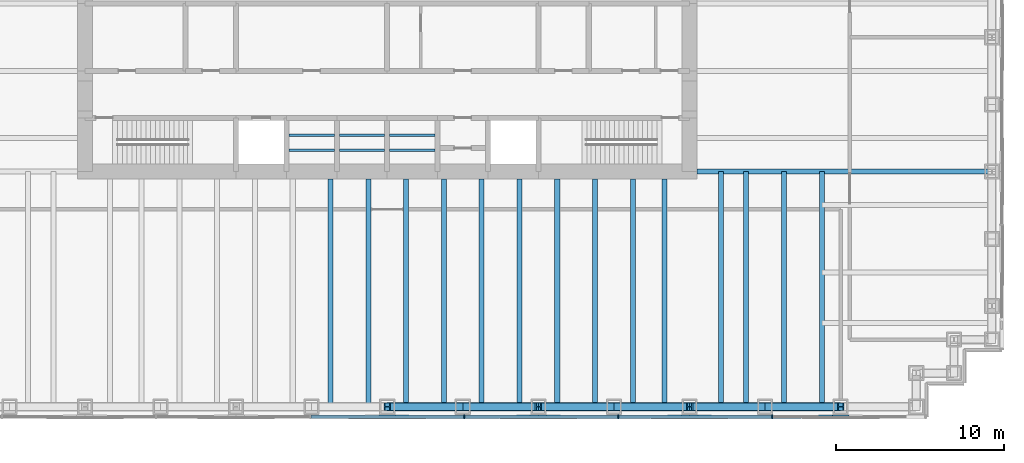
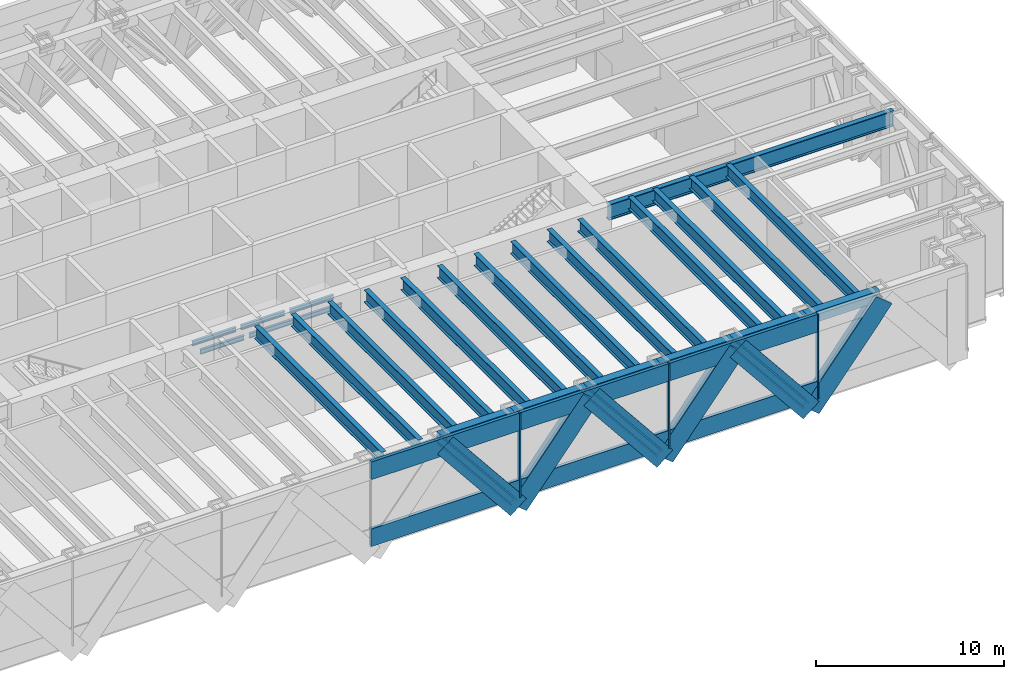
# One storey, part 4 of 16: 27 beams, 21 members, 1 element without a shape of its own.
"""IFC4 building model written with IfcOpenShell, lengths in metres."""

from ifc_helpers import new_model, si_unit, direction, frame, origin, origin_2d, place, context, subcontext, project, spatial, rectangle, hollow_rectangle, i_section, extrude, material, material_profile, profile_set, type_object, element, aggregate, save


model = new_model("IFC4")

# Units and contexts
model_context = context("Model", 3, precision=1e-05, world=origin(), true_north=direction((0.0, 1.0)))
body_context = subcontext(model_context, "Body", "Model", "MODEL_VIEW")
ifc_project = project(units=[si_unit("LENGTHUNIT", "METRE"), si_unit("AREAUNIT", "SQUARE_METRE"), si_unit("VOLUMEUNIT", "CUBIC_METRE"), si_unit("PLANEANGLEUNIT", "RADIAN"), si_unit("MASSUNIT", "GRAM", prefix="KILO")], contexts=[model_context])

# Site, building, storey
site_placement = place(None, origin())
site = spatial("IfcSite", under=ifc_project, at=site_placement, CompositionType="ELEMENT")
building_placement = place(site_placement, origin())
building = spatial("IfcBuilding", under=site, at=building_placement, Name="Rheinbord Bourse Tower", CompositionType="ELEMENT")
storey_placement = place(building_placement, frame((0.0, 0.0, 180.300048828125)))
storey = spatial("IfcBuildingStorey", under=building, at=storey_placement, Name="L40", CompositionType="ELEMENT", Elevation=180.300048828125)

# Beams
ifc_material_1 = material(Name="Steel S460M", Category="steel")
ifc_material_profile_1 = material_profile(ifc_material_1, hollow_rectangle(XDim=0.5, YDim=0.699951171875, WallThickness=0.0400390625, at=origin_2d()), Name="BOX 700x500x40")
ifc_profile_set_1 = profile_set([ifc_material_profile_1], Name="Steel S460M")
beam_type_1 = type_object("IfcBeamType", Name="BELT CHORD BOX 700x500x40", PredefinedType="SPANDREL", material=ifc_profile_set_1)
for number, where, z_axis, x_axis, name in (
    (1, (36.0, 2.0, 4.989990234375), (1.0, 0.0, 0.0), (0.0, 1.0, 0.0), "Spandrel S-36-S-40.5 under L41"),
    (2, (40.5, 2.0, 4.989990234375), (1.0, 0.0, 0.0), (0.0, 1.0, 0.0), "Spandrel S-40.5-S-45 under L41"),
    (3, (45.0, 2.0, 4.989990234375), (1.0, 0.0, 0.0), (0.0, 1.0, 0.0), "Spandrel S-45-S-49.5 under L41"),
    (4, (49.5, 2.0, 4.989990234375), (1.0, 0.0, 0.0), (0.0, 1.0, 0.0), "Spandrel S-49.5-S-54 under L41"),
    (5, (54.0, 2.0, 4.989990234375), (1.0, 0.0, 0.0), (0.0, 1.0, 0.0), "Spandrel S-54-S-58.5 under L41"),
    (6, (58.5, 2.0, 4.989990234375), (1.0, 0.0, 0.0), (0.0, 1.0, 0.0), "Spandrel S-58.5-S-63 under L41"),
):
    element("IfcBeam", number, at=place(storey_placement, frame(where, z_axis=z_axis, x_axis=x_axis)), inside=storey, type_object=beam_type_1, Name=name, PredefinedType="SPANDREL", context=body_context, shape_type="SweptSolid", body=[
        extrude(hollow_rectangle(XDim=0.5, YDim=0.699951171875, WallThickness=0.0400390625, at=origin_2d()), origin(), (0.0, 0.0, 1.0), 4.5),
    ])

# Members
ifc_material_2 = material(Name="Steel S460", Category="steel")
ifc_material_profile_2 = material_profile(ifc_material_2, i_section(OverallWidth=0.431884765625, OverallDepth=0.498046875, WebThickness=0.0556640625, FlangeThickness=0.0888671875, at=origin_2d()), Name="HD 400x744")
ifc_profile_set_2 = profile_set([ifc_material_profile_2], Name="Steel S460")
member_type_1 = type_object("IfcMemberType", Name="BELT DIAGONAL HD 400x744", PredefinedType="STRUT", material=ifc_profile_set_2)
for number, where, z_axis, x_axis, name in (
    (7, (40.5, 2.0, -0.60009765625), (-0.627065297878, 0.0, 0.778966695178), (0.0, -1.0, 0.0), "Belt truss diagonal S-36-S-40.5 L40"),
    (8, (40.5, 2.0, -0.60009765625), (0.627065297878, 0.0, 0.778966695178), (0.0, 1.0, 0.0), "Belt truss diagonal S-40.5-S-45 L40"),
    (9, (49.5, 2.0, -0.60009765625), (-0.627065297878, 0.0, 0.778966695178), (0.0, -1.0, 0.0), "Belt truss diagonal S-45-S-49.5 L40"),
    (10, (49.5, 2.0, -0.60009765625), (0.627065297878, 0.0, 0.778966695178), (0.0, 1.0, 0.0), "Belt truss diagonal S-49.5-S-54 L40"),
    (11, (58.5, 2.0, -0.60009765625), (-0.627065297878, 0.0, 0.778966695178), (0.0, -1.0, 0.0), "Belt truss diagonal S-54-S-58.5 L40"),
    (12, (58.5, 2.0, -0.60009765625), (0.627065297878, 0.0, 0.778966695178), (0.0, 1.0, 0.0), "Belt truss diagonal S-58.5-S-63 L40"),
):
    element("IfcMember", number, at=place(storey_placement, frame(where, z_axis=z_axis, x_axis=x_axis)), inside=storey, type_object=member_type_1, Name=name, PredefinedType="STRUT", context=body_context, shape_type="SweptSolid", body=[
        extrude(i_section(OverallWidth=0.431884765625, OverallDepth=0.498046875, WebThickness=0.0556640625, FlangeThickness=0.0888671875, at=origin_2d()), origin(), (0.0, 0.0, 1.0), 7.17626953125),
    ])

# Curtain wall, members
ifc_material_3 = material(Name="Dark glass and black aluminium", Category="aluminium")
curtain_wall_type = type_object("IfcCurtainWallType", Name="CW5 DARK GLASS CURTAIN WALL", PredefinedType="USERDEFINED", material=ifc_material_3)
curtain_wall_placement = place(storey_placement, origin())
curtain_wall = element("IfcCurtainWall", 13, at=curtain_wall_placement, inside=storey, type_object=curtain_wall_type, Name="Curtain wall CW5 S L40", ObjectType="UNITISED CURTAIN WALL", PredefinedType="USERDEFINED")
ifc_material_4 = material(Name="Black anodised aluminium", Category="aluminium")
ifc_material_profile_3 = material_profile(ifc_material_4, rectangle(XDim=0.199951171875, YDim=1.259033203125, at=origin_2d()), Name="CW5 DIAGONAL MULLION 1259x200")
ifc_profile_set_3 = profile_set([ifc_material_profile_3], Name="Black anodised aluminium")
member_type_2 = type_object("IfcMemberType", Name="CW5 BLACK DIAGONAL MULLION", PredefinedType="USERDEFINED", material=ifc_profile_set_3)
member_1_placement = place(storey_placement, frame((40.5, 1.39990234375, -0.60009765625), z_axis=(-0.627065297878, 0.0, 0.778966695178), x_axis=(0.0, -1.0, 0.0)))
member_1 = element("IfcMember", 14, at=member_1_placement, type_object=member_type_2, Name="CW5 diagonal mullion belt S-36", ObjectType="DIAGONAL MULLION", PredefinedType="USERDEFINED", context=body_context, shape_type="SweptSolid", body=[
    extrude(rectangle(XDim=0.199951171875, YDim=1.259033203125, at=origin_2d()), origin(), (0.0, 0.0, 1.0), 7.17626953125),
])
member_2_placement = place(storey_placement, frame((40.5, 1.39990234375, -0.60009765625), z_axis=(0.627065297878, 0.0, 0.778966695178), x_axis=(0.0, 1.0, 0.0)))
member_2 = element("IfcMember", 15, at=member_2_placement, type_object=member_type_2, Name="CW5 diagonal mullion belt S-40.5", ObjectType="DIAGONAL MULLION", PredefinedType="USERDEFINED", context=body_context, shape_type="SweptSolid", body=[
    extrude(rectangle(XDim=0.199951171875, YDim=1.259033203125, at=origin_2d()), origin(), (0.0, 0.0, 1.0), 7.17626953125),
])
member_3_placement = place(storey_placement, frame((49.5, 1.39990234375, -0.60009765625), z_axis=(-0.627065297878, 0.0, 0.778966695178), x_axis=(0.0, -1.0, 0.0)))
member_3 = element("IfcMember", 16, at=member_3_placement, type_object=member_type_2, Name="CW5 diagonal mullion belt S-45", ObjectType="DIAGONAL MULLION", PredefinedType="USERDEFINED", context=body_context, shape_type="SweptSolid", body=[
    extrude(rectangle(XDim=0.199951171875, YDim=1.259033203125, at=origin_2d()), origin(), (0.0, 0.0, 1.0), 7.17626953125),
])
member_4_placement = place(storey_placement, frame((49.5, 1.39990234375, -0.60009765625), z_axis=(0.627065297878, 0.0, 0.778966695178), x_axis=(0.0, 1.0, 0.0)))
member_4 = element("IfcMember", 17, at=member_4_placement, type_object=member_type_2, Name="CW5 diagonal mullion belt S-49.5", ObjectType="DIAGONAL MULLION", PredefinedType="USERDEFINED", context=body_context, shape_type="SweptSolid", body=[
    extrude(rectangle(XDim=0.199951171875, YDim=1.259033203125, at=origin_2d()), origin(), (0.0, 0.0, 1.0), 7.17626953125),
])
member_5_placement = place(storey_placement, frame((58.5, 1.39990234375, -0.60009765625), z_axis=(-0.627065297878, 0.0, 0.778966695178), x_axis=(0.0, -1.0, 0.0)))
member_5 = element("IfcMember", 18, at=member_5_placement, type_object=member_type_2, Name="CW5 diagonal mullion belt S-54", ObjectType="DIAGONAL MULLION", PredefinedType="USERDEFINED", context=body_context, shape_type="SweptSolid", body=[
    extrude(rectangle(XDim=0.199951171875, YDim=1.259033203125, at=origin_2d()), origin(), (0.0, 0.0, 1.0), 7.17626953125),
])
member_6_placement = place(storey_placement, frame((58.5, 1.39990234375, -0.60009765625), z_axis=(0.627065297878, 0.0, 0.778966695178), x_axis=(0.0, 1.0, 0.0)))
member_6 = element("IfcMember", 19, at=member_6_placement, type_object=member_type_2, Name="CW5 diagonal mullion belt S-58.5", ObjectType="DIAGONAL MULLION", PredefinedType="USERDEFINED", context=body_context, shape_type="SweptSolid", body=[
    extrude(rectangle(XDim=0.199951171875, YDim=1.259033203125, at=origin_2d()), origin(), (0.0, 0.0, 1.0), 7.17626953125),
])
ifc_material_5 = material(Name="Black anodised aluminium", Category="aluminium")
ifc_material_profile_4 = material_profile(ifc_material_5, rectangle(XDim=0.25, YDim=0.080078125, at=origin_2d()), Name="CW5 MULLION 80x250")
ifc_profile_set_4 = profile_set([ifc_material_profile_4], Name="Black anodised aluminium")
member_type_3 = type_object("IfcMemberType", Name="CW5 BLACK MULLION", PredefinedType="MULLION", material=ifc_profile_set_4)
member_7_placement = place(storey_placement, frame((40.585693359375, 1.39990234375, 0.0), z_axis=(0.0, 0.0, 1.0), x_axis=(0.0, 1.0, 0.0)))
member_7 = element("IfcMember", 20, at=member_7_placement, type_object=member_type_3, Name="CW5 mullion 5", PredefinedType="MULLION", context=body_context, shape_type="SweptSolid", body=[
    extrude(rectangle(XDim=0.25, YDim=0.080078125, at=origin_2d()), origin(), (0.0, 0.0, 1.0), 5.5),
])
member_8_placement = place(storey_placement, frame((49.757080078125, 1.39990234375, 0.0), z_axis=(0.0, 0.0, 1.0), x_axis=(0.0, 1.0, 0.0)))
member_8 = element("IfcMember", 21, at=member_8_placement, type_object=member_type_3, Name="CW5 mullion 6", PredefinedType="MULLION", context=body_context, shape_type="SweptSolid", body=[
    extrude(rectangle(XDim=0.25, YDim=0.080078125, at=origin_2d()), origin(), (0.0, 0.0, 1.0), 5.5),
])
member_9_placement = place(storey_placement, frame((58.928466796875, 1.39990234375, 0.0), z_axis=(0.0, 0.0, 1.0), x_axis=(0.0, 1.0, 0.0)))
member_9 = element("IfcMember", 22, at=member_9_placement, type_object=member_type_3, Name="CW5 mullion 7", PredefinedType="MULLION", context=body_context, shape_type="SweptSolid", body=[
    extrude(rectangle(XDim=0.25, YDim=0.080078125, at=origin_2d()), origin(), (0.0, 0.0, 1.0), 5.5),
])
ifc_material_6 = material(Name="Black anodised aluminium", Category="aluminium")
ifc_material_profile_5 = material_profile(ifc_material_6, rectangle(XDim=0.199951171875, YDim=1.14990234375, at=origin_2d()), Name="CW5 TRANSOM 1150x200")
ifc_profile_set_5 = profile_set([ifc_material_profile_5], Name="Black anodised aluminium")
member_type_4 = type_object("IfcMemberType", Name="CW5 BLACK TRANSOM", PredefinedType="USERDEFINED", material=ifc_profile_set_5)
member_10_placement = place(storey_placement, frame((31.454345703125, 1.39990234375, 0.574951171875), z_axis=(1.0, 0.0, 0.0), x_axis=(0.0, 1.0, 0.0)))
member_10 = element("IfcMember", 23, at=member_10_placement, type_object=member_type_4, Name="CW5 transom 4.1", ObjectType="TRANSOM", PredefinedType="USERDEFINED", context=body_context, shape_type="SweptSolid", body=[
    extrude(rectangle(XDim=0.199951171875, YDim=1.14990234375, at=origin_2d()), origin(), (0.0, 0.0, 1.0), 9.09130859375),
])
member_11_placement = place(storey_placement, frame((31.454345703125, 1.39990234375, 4.925048828125), z_axis=(1.0, 0.0, 0.0), x_axis=(0.0, 1.0, 0.0)))
member_11 = element("IfcMember", 24, at=member_11_placement, type_object=member_type_4, Name="CW5 transom 4.2", ObjectType="TRANSOM", PredefinedType="USERDEFINED", context=body_context, shape_type="SweptSolid", body=[
    extrude(rectangle(XDim=0.199951171875, YDim=1.14990234375, at=origin_2d()), origin(), (0.0, 0.0, 1.0), 9.09130859375),
])
member_12_placement = place(storey_placement, frame((40.625732421875, 1.39990234375, 0.574951171875), z_axis=(1.0, 0.0, 0.0), x_axis=(0.0, 1.0, 0.0)))
member_12 = element("IfcMember", 25, at=member_12_placement, type_object=member_type_4, Name="CW5 transom 5.1", ObjectType="TRANSOM", PredefinedType="USERDEFINED", context=body_context, shape_type="SweptSolid", body=[
    extrude(rectangle(XDim=0.199951171875, YDim=1.14990234375, at=origin_2d()), origin(), (0.0, 0.0, 1.0), 9.09130859375),
])
member_13_placement = place(storey_placement, frame((40.625732421875, 1.39990234375, 4.925048828125), z_axis=(1.0, 0.0, 0.0), x_axis=(0.0, 1.0, 0.0)))
member_13 = element("IfcMember", 26, at=member_13_placement, type_object=member_type_4, Name="CW5 transom 5.2", ObjectType="TRANSOM", PredefinedType="USERDEFINED", context=body_context, shape_type="SweptSolid", body=[
    extrude(rectangle(XDim=0.199951171875, YDim=1.14990234375, at=origin_2d()), origin(), (0.0, 0.0, 1.0), 9.09130859375),
])
member_14_placement = place(storey_placement, frame((49.797119140625, 1.39990234375, 0.574951171875), z_axis=(1.0, 0.0, 0.0), x_axis=(0.0, 1.0, 0.0)))
member_14 = element("IfcMember", 27, at=member_14_placement, type_object=member_type_4, Name="CW5 transom 6.1", ObjectType="TRANSOM", PredefinedType="USERDEFINED", context=body_context, shape_type="SweptSolid", body=[
    extrude(rectangle(XDim=0.199951171875, YDim=1.14990234375, at=origin_2d()), origin(), (0.0, 0.0, 1.0), 9.091552734375),
])
member_15_placement = place(storey_placement, frame((49.797119140625, 1.39990234375, 4.925048828125), z_axis=(1.0, 0.0, 0.0), x_axis=(0.0, 1.0, 0.0)))
member_15 = element("IfcMember", 28, at=member_15_placement, type_object=member_type_4, Name="CW5 transom 6.2", ObjectType="TRANSOM", PredefinedType="USERDEFINED", context=body_context, shape_type="SweptSolid", body=[
    extrude(rectangle(XDim=0.199951171875, YDim=1.14990234375, at=origin_2d()), origin(), (0.0, 0.0, 1.0), 9.091552734375),
])
aggregate(curtain_wall, [member_7, member_8, member_9, member_10, member_11, member_12, member_13, member_14, member_15, member_1, member_2, member_3, member_4, member_5, member_6])

# Beams
ifc_material_7 = material(Name="Steel S460", Category="steel")
ifc_material_profile_6 = material_profile(ifc_material_7, i_section(OverallWidth=0.300048828125, OverallDepth=0.800048828125, WebThickness=0.017578125, FlangeThickness=0.032958984375, at=origin_2d()), Name="HEB 800")
ifc_profile_set_6 = profile_set([ifc_material_profile_6], Name="Steel S460")
beam_type_2 = type_object("IfcBeamType", Name="FLOOR BEAM HEB 800", PredefinedType="BEAM", material=ifc_profile_set_6)
for number, where, z_axis, x_axis, name in (
    (29, (32.625, 2.0, 4.93994140625), (0.0, 1.0, 0.0), (-1.0, 0.0, 0.0), "Floor beam S-31.5a L41"),
    (30, (34.875, 2.0, 4.93994140625), (0.0, 1.0, 0.0), (-1.0, 0.0, 0.0), "Floor beam S-31.5b L41"),
    (31, (37.125, 2.0, 4.93994140625), (0.0, 1.0, 0.0), (-1.0, 0.0, 0.0), "Floor beam S-36a L41"),
    (32, (39.375, 2.0, 4.93994140625), (0.0, 1.0, 0.0), (-1.0, 0.0, 0.0), "Floor beam S-36b L41"),
    (33, (41.625, 2.0, 4.93994140625), (0.0, 1.0, 0.0), (-1.0, 0.0, 0.0), "Floor beam S-40.5a L41"),
    (34, (43.875, 2.0, 4.93994140625), (0.0, 1.0, 0.0), (-1.0, 0.0, 0.0), "Floor beam S-40.5b L41"),
    (35, (46.125, 2.0, 4.93994140625), (0.0, 1.0, 0.0), (-1.0, 0.0, 0.0), "Floor beam S-45a L41"),
    (36, (48.375, 2.0, 4.93994140625), (0.0, 1.0, 0.0), (-1.0, 0.0, 0.0), "Floor beam S-45b L41"),
    (37, (50.625, 2.0, 4.93994140625), (0.0, 1.0, 0.0), (-1.0, 0.0, 0.0), "Floor beam S-49.5a L41"),
    (38, (52.5, 2.0, 4.93994140625), (0.0, 1.0, 0.0), (-1.0, 0.0, 0.0), "Floor beam S-49.5b L41"),
):
    element("IfcBeam", number, at=place(storey_placement, frame(where, z_axis=z_axis, x_axis=x_axis)), inside=storey, type_object=beam_type_2, Name=name, PredefinedType="BEAM", context=body_context, shape_type="SweptSolid", body=[
        extrude(i_section(OverallWidth=0.300048828125, OverallDepth=0.800048828125, WebThickness=0.017578125, FlangeThickness=0.032958984375, at=origin_2d()), origin(), (0.0, 0.0, 1.0), 13.550048828125),
    ])
for number, where, z_axis, x_axis, name in (
    (39, (55.875, 2.0, 4.93994140625), (0.0, 1.0, 0.0), (-1.0, 0.0, 0.0), "Floor beam S-54a L41"),
    (40, (57.375, 2.0, 4.93994140625), (0.0, 1.0, 0.0), (-1.0, 0.0, 0.0), "Floor beam S-54b L41"),
    (41, (59.625, 2.0, 4.93994140625), (0.0, 1.0, 0.0), (-1.0, 0.0, 0.0), "Floor beam S-58.5a L41"),
    (42, (61.875, 2.0, 4.93994140625), (0.0, 1.0, 0.0), (-1.0, 0.0, 0.0), "Floor beam S-58.5b L41"),
):
    element("IfcBeam", number, at=place(storey_placement, frame(where, z_axis=z_axis, x_axis=x_axis)), inside=storey, type_object=beam_type_2, Name=name, PredefinedType="BEAM", context=body_context, shape_type="SweptSolid", body=[
        extrude(i_section(OverallWidth=0.300048828125, OverallDepth=0.800048828125, WebThickness=0.017578125, FlangeThickness=0.032958984375, at=origin_2d()), origin(), (0.0, 0.0, 1.0), 14.0),
    ])
ifc_material_8 = material(Name="Steel S460", Category="steel")
ifc_material_profile_7 = material_profile(ifc_material_8, i_section(OverallWidth=0.302001953125, OverallDepth=1.008056640625, WebThickness=0.02099609375, FlangeThickness=0.0400390625, at=origin_2d()), Name="HEM 1000")
ifc_profile_set_7 = profile_set([ifc_material_profile_7], Name="Steel S460")
beam_type_3 = type_object("IfcBeamType", Name="GIRDER HEM 1000", PredefinedType="BEAM", material=ifc_profile_set_7)
beam_placement = place(storey_placement, frame((54.449951171875, 16.0, 4.8359375), z_axis=(1.0, 0.0, 0.0), x_axis=(0.0, 1.0, 0.0)))
element("IfcBeam", 43, at=beam_placement, inside=storey, type_object=beam_type_3, Name="Girder east 16 L41", PredefinedType="BEAM", context=body_context, shape_type="SweptSolid", body=[
    extrude(i_section(OverallWidth=0.302001953125, OverallDepth=1.008056640625, WebThickness=0.02099609375, FlangeThickness=0.0400390625, at=origin_2d()), origin(), (0.0, 0.0, 1.0), 17.550048828125),
])
ifc_material_9 = material(Name="Steel S460", Category="steel")
ifc_material_profile_8 = material_profile(ifc_material_9, i_section(OverallWidth=0.14990234375, OverallDepth=0.300048828125, WebThickness=0.007080078125, FlangeThickness=0.0107421875, at=origin_2d()), Name="IPE 300")
ifc_profile_set_8 = profile_set([ifc_material_profile_8], Name="Steel S460")
beam_type_4 = type_object("IfcBeamType", Name="PIT BEAM IPE 300", PredefinedType="BEAM", material=ifc_profile_set_8)
for number, where, z_axis, x_axis, name in (
    (44, (30.14990234375, 17.282958984375, 3.449951171875), (1.0, 0.0, 0.0), (0.0, 1.0, 0.0), "Pit beam 1 PC1"),
    (45, (30.14990234375, 18.1669921875, 3.449951171875), (1.0, 0.0, 0.0), (0.0, 1.0, 0.0), "Pit beam 2 PC1"),
    (46, (33.14990234375, 17.282958984375, 3.449951171875), (1.0, 0.0, 0.0), (0.0, 1.0, 0.0), "Pit beam 1 PC2"),
    (47, (33.14990234375, 18.1669921875, 3.449951171875), (1.0, 0.0, 0.0), (0.0, 1.0, 0.0), "Pit beam 2 PC2"),
    (48, (36.14990234375, 17.282958984375, 3.449951171875), (1.0, 0.0, 0.0), (0.0, 1.0, 0.0), "Pit beam 1 PC3"),
    (49, (36.14990234375, 18.1669921875, 3.449951171875), (1.0, 0.0, 0.0), (0.0, 1.0, 0.0), "Pit beam 2 PC3"),
):
    element("IfcBeam", number, at=place(storey_placement, frame(where, z_axis=z_axis, x_axis=x_axis)), inside=storey, type_object=beam_type_4, Name=name, PredefinedType="BEAM", context=body_context, shape_type="SweptSolid", body=[
        extrude(i_section(OverallWidth=0.14990234375, OverallDepth=0.300048828125, WebThickness=0.007080078125, FlangeThickness=0.0107421875, at=origin_2d()), origin(), (0.0, 0.0, 1.0), 2.7001953125),
    ])

save(model, "model.ifc")
